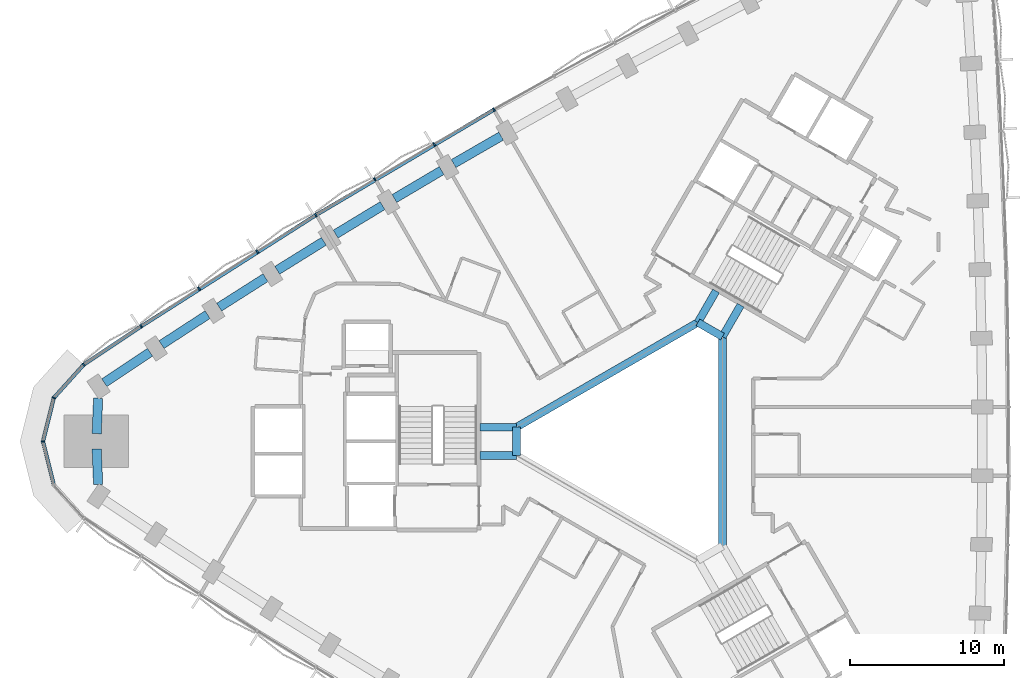
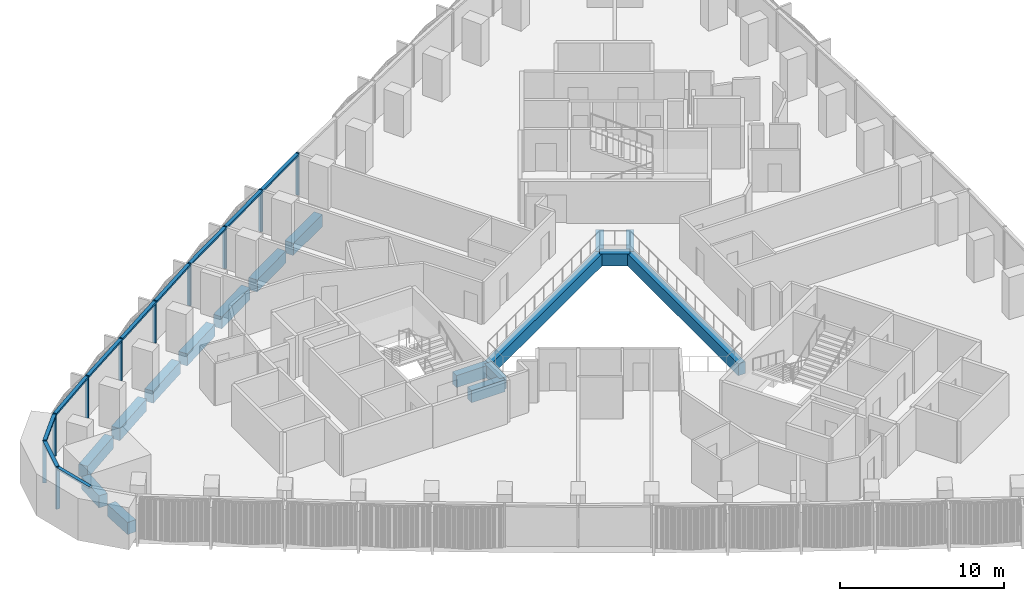
# One storey, part 4 of 15: 17 beams, 16 members, 1 element without a shape of its own.
"""IFC4 building model written with IfcOpenShell, lengths in metres."""

from ifc_helpers import new_model, si_unit, direction, frame, origin, origin_2d, place, context, subcontext, project, spatial, rectangle, extrude, material, material_profile, profile_set, type_object, element, aggregate, save


model = new_model("IFC4")

# Units and contexts
model_context = context("Model", 3, precision=1e-05, world=origin(), true_north=direction((0.0, 1.0)))
body_context = subcontext(model_context, "Body", "Model", "MODEL_VIEW")
ifc_project = project(units=[si_unit("LENGTHUNIT", "METRE"), si_unit("AREAUNIT", "SQUARE_METRE"), si_unit("VOLUMEUNIT", "CUBIC_METRE"), si_unit("PLANEANGLEUNIT", "RADIAN"), si_unit("MASSUNIT", "GRAM", prefix="KILO")], contexts=[model_context])

# Site, building, storey
site_placement = place(None, origin())
site = spatial("IfcSite", under=ifc_project, at=site_placement, CompositionType="ELEMENT")
building_placement = place(site_placement, origin())
building = spatial("IfcBuilding", under=site, at=building_placement, Name="Tamra Quay Hotel Tower", CompositionType="ELEMENT")
storey_placement = place(building_placement, frame((0.0, 0.0, 42.199951171875)))
storey = spatial("IfcBuildingStorey", under=building, at=storey_placement, Name="L08", CompositionType="ELEMENT", Elevation=42.199951171875)

# Beams
ifc_material_1 = material(Name="Concrete M60", Category="concrete")
ifc_material_profile_1 = material_profile(ifc_material_1, rectangle(XDim=0.5, YDim=0.89990234375, at=origin_2d()), Name="ATRIUM EDGE BEAM RC 500x900")
ifc_profile_set_1 = profile_set([ifc_material_profile_1], Name="Concrete M60")
beam_type_1 = type_object("IfcBeamType", Name="ATRIUM EDGE BEAM RC 500x900", PredefinedType="BEAM", material=ifc_profile_set_1)
beam_1_placement = place(storey_placement, frame((5.0, 6.812744140625, -0.925048828125), z_axis=(0.0, -1.0, 0.0), x_axis=(1.0, 0.0, 0.0)))
element("IfcBeam", 1, at=beam_1_placement, inside=storey, type_object=beam_type_1, Name="BM-AB0-L08", PredefinedType="BEAM", context=body_context, shape_type="SweptSolid", body=[
    extrude(rectangle(XDim=0.5, YDim=0.89990234375, at=origin_2d()), origin(), (0.0, 0.0, 1.0), 13.62548828125),
])
beam_2_placement = place(storey_placement, frame((-8.39990234375, -0.923828125, -0.925048828125), z_axis=(0.0, 1.0, 0.0), x_axis=(-1.0, 0.0, 0.0)))
element("IfcBeam", 2, at=beam_2_placement, inside=storey, type_object=beam_type_1, Name="BM-AB3-L08", PredefinedType="BEAM", context=body_context, shape_type="SweptSolid", body=[
    extrude(rectangle(XDim=0.5, YDim=0.89990234375, at=origin_2d()), origin(), (0.0, 0.0, 1.0), 1.84765625),
])
beam_3_placement = place(storey_placement, frame((-8.39990234375, 0.923828125, -0.925048828125), z_axis=(0.866021471679, 0.500006810544, 0.0), x_axis=(-0.500006810544, 0.866021471679, 0.0)))
element("IfcBeam", 3, at=beam_3_placement, inside=storey, type_object=beam_type_1, Name="BM-AB4-L08", PredefinedType="BEAM", context=body_context, shape_type="SweptSolid", body=[
    extrude(rectangle(XDim=0.5, YDim=0.89990234375, at=origin_2d()), origin(), (0.0, 0.0, 1.0), 13.625244140625),
])
beam_4_placement = place(storey_placement, frame((3.39990234375, 7.736572265625, -0.925048828125), z_axis=(0.86602275259, -0.500004591975, 0.0), x_axis=(0.500004591975, 0.86602275259, 0.0)))
element("IfcBeam", 4, at=beam_4_placement, inside=storey, type_object=beam_type_1, Name="BM-AB5-L08", PredefinedType="BEAM", context=body_context, shape_type="SweptSolid", body=[
    extrude(rectangle(XDim=0.5, YDim=0.89990234375, at=origin_2d()), origin(), (0.0, 0.0, 1.0), 1.84765625),
])
ifc_material_profile_2 = material_profile(ifc_material_1, rectangle(XDim=0.5, YDim=0.89990234375, at=origin_2d()), Name="ATRIUM TIE BEAM RC 500x900")
ifc_profile_set_2 = profile_set([ifc_material_profile_2], Name="Concrete M60")
beam_type_2 = type_object("IfcBeamType", Name="ATRIUM TIE BEAM RC 500x900", PredefinedType="BEAM", material=ifc_profile_set_2)
beam_5_placement = place(storey_placement, frame((5.0, 6.812744140625, -0.925048828125), z_axis=(0.500029618126, 0.866008303076, 0.0), x_axis=(-0.866008303076, 0.500029618126, 0.0)))
element("IfcBeam", 5, at=beam_5_placement, inside=storey, type_object=beam_type_2, Name="BM-TIE-0-L08", PredefinedType="BEAM", context=body_context, shape_type="SweptSolid", body=[
    extrude(rectangle(XDim=0.5, YDim=0.89990234375, at=origin_2d()), origin(), (0.0, 0.0, 1.0), 2.362060546875),
])
for number, where, z_axis, x_axis, name in (
    (6, (-8.39990234375, -0.923828125, -0.925048828125), (-1.0, 0.0, 0.0), (0.0, -1.0, 0.0), "BM-TIE-3-L08"),
    (7, (-8.39990234375, 0.923828125, -0.925048828125), (-1.0, 0.0, 0.0), (0.0, -1.0, 0.0), "BM-TIE-4-L08"),
):
    element("IfcBeam", number, at=place(storey_placement, frame(where, z_axis=z_axis, x_axis=x_axis)), inside=storey, type_object=beam_type_2, Name=name, PredefinedType="BEAM", context=body_context, shape_type="SweptSolid", body=[
        extrude(rectangle(XDim=0.5, YDim=0.89990234375, at=origin_2d()), origin(), (0.0, 0.0, 1.0), 2.3623046875),
    ])
beam_6_placement = place(storey_placement, frame((3.39990234375, 7.736572265625, -0.925048828125), z_axis=(0.500029618126, 0.866008303076, 0.0), x_axis=(-0.866008303076, 0.500029618126, 0.0)))
element("IfcBeam", 8, at=beam_6_placement, inside=storey, type_object=beam_type_2, Name="BM-TIE-5-L08", PredefinedType="BEAM", context=body_context, shape_type="SweptSolid", body=[
    extrude(rectangle(XDim=0.5, YDim=0.89990234375, at=origin_2d()), origin(), (0.0, 0.0, 1.0), 2.362060546875),
])

# Curtain wall, members
ifc_material_2 = material(Name="Aluminium 6063 anodised dark grey", Category="aluminium")
curtain_wall_type = type_object("IfcCurtainWallType", Name="CW2 CURTAIN WALL", PredefinedType="NOTDEFINED", material=ifc_material_2)
curtain_wall_placement = place(storey_placement, origin())
curtain_wall = element("IfcCurtainWall", 9, at=curtain_wall_placement, inside=storey, type_object=curtain_wall_type, Name="CW2 north-west face L08", PredefinedType="NOTDEFINED")
ifc_material_profile_3 = material_profile(ifc_material_2, rectangle(XDim=0.239990234375, YDim=0.10009765625, at=origin_2d()), Name="MULLION 100X240")
ifc_profile_set_3 = profile_set([ifc_material_profile_3], Name="Aluminium 6063 anodised dark grey")
member_type_1 = type_object("IfcMemberType", Name="MULLION CW2 Z1", PredefinedType="MULLION", material=ifc_profile_set_3)
member_1_placement = place(storey_placement, frame((-9.865478515625, 21.576171875, 0.0), z_axis=(0.0, 0.0, 1.0), x_axis=(-0.495300312687, 0.868721819832, 0.0)))
member_1 = element("IfcMember", 10, at=member_1_placement, type_object=member_type_1, Name="CW2 mullion L08.NW.7", PredefinedType="MULLION", context=body_context, shape_type="SweptSolid", body=[
    extrude(rectangle(XDim=0.239990234375, YDim=0.10009765625, at=origin_2d()), origin(), (0.0, 0.0, 1.0), 3.125),
])
member_2_placement = place(storey_placement, frame((-13.7529296875, 19.331787109375, 0.0), z_axis=(0.0, 0.0, 1.0), x_axis=(-0.504685008453, 0.863303563205, 0.0)))
member_2 = element("IfcMember", 11, at=member_2_placement, type_object=member_type_1, Name="CW2 mullion L08.NW.8", PredefinedType="MULLION", context=body_context, shape_type="SweptSolid", body=[
    extrude(rectangle(XDim=0.239990234375, YDim=0.10009765625, at=origin_2d()), origin(), (0.0, 0.0, 1.0), 3.125),
])
member_3_placement = place(storey_placement, frame((-17.61572265625, 17.04541015625, 0.0), z_axis=(0.0, 0.0, 1.0), x_axis=(-0.514004526657, 0.857787471683, 0.0)))
member_3 = element("IfcMember", 12, at=member_3_placement, type_object=member_type_1, Name="CW2 mullion L08.NW.9", PredefinedType="MULLION", context=body_context, shape_type="SweptSolid", body=[
    extrude(rectangle(XDim=0.239990234375, YDim=0.10009765625, at=origin_2d()), origin(), (0.0, 0.0, 1.0), 3.125),
])
member_4_placement = place(storey_placement, frame((-21.454345703125, 14.717041015625, 0.0), z_axis=(0.0, 0.0, 1.0), x_axis=(-0.523257144174, 0.852174841843, 0.0)))
member_4 = element("IfcMember", 13, at=member_4_placement, type_object=member_type_1, Name="CW2 mullion L08.NW.10", PredefinedType="MULLION", context=body_context, shape_type="SweptSolid", body=[
    extrude(rectangle(XDim=0.239990234375, YDim=0.10009765625, at=origin_2d()), origin(), (0.0, 0.0, 1.0), 3.125),
])
member_5_placement = place(storey_placement, frame((-25.2666015625, 12.34765625, 0.0), z_axis=(0.0, 0.0, 1.0), x_axis=(-0.532446882669, 0.846463417482, 0.0)))
member_5 = element("IfcMember", 14, at=member_5_placement, type_object=member_type_1, Name="CW2 mullion L08.NW.11", PredefinedType="MULLION", context=body_context, shape_type="SweptSolid", body=[
    extrude(rectangle(XDim=0.239990234375, YDim=0.10009765625, at=origin_2d()), origin(), (0.0, 0.0, 1.0), 3.125),
])
member_6_placement = place(storey_placement, frame((-29.05322265625, 9.93701171875, 0.0), z_axis=(0.0, 0.0, 1.0), x_axis=(-0.541560885498, 0.84066152957, 0.0)))
member_6 = element("IfcMember", 15, at=member_6_placement, type_object=member_type_1, Name="CW2 mullion L08.NW.12", PredefinedType="MULLION", context=body_context, shape_type="SweptSolid", body=[
    extrude(rectangle(XDim=0.239990234375, YDim=0.10009765625, at=origin_2d()), origin(), (0.0, 0.0, 1.0), 3.125),
])
member_7_placement = place(storey_placement, frame((-32.814208984375, 7.4853515625, 0.0), z_axis=(0.0, 0.0, 1.0), x_axis=(-0.550591269595, 0.834774971981, 0.0)))
member_7 = element("IfcMember", 16, at=member_7_placement, type_object=member_type_1, Name="CW2 mullion L08.NW.13", PredefinedType="MULLION", context=body_context, shape_type="SweptSolid", body=[
    extrude(rectangle(XDim=0.239990234375, YDim=0.10009765625, at=origin_2d()), origin(), (0.0, 0.0, 1.0), 3.125),
])
member_8_placement = place(storey_placement, frame((-36.547607421875, 4.993896484375, 0.0), z_axis=(0.0, 0.0, 1.0), x_axis=(-0.654196774513, 0.756324388221, 0.0)))
member_8 = element("IfcMember", 17, at=member_8_placement, type_object=member_type_1, Name="CW2 mullion L08.NW.14", PredefinedType="MULLION", context=body_context, shape_type="SweptSolid", body=[
    extrude(rectangle(XDim=0.239990234375, YDim=0.10009765625, at=origin_2d()), origin(), (0.0, 0.0, 1.0), 3.125),
])
member_9_placement = place(storey_placement, frame((-38.497802734375, 2.828125, 0.0), z_axis=(0.0, 0.0, 1.0), x_axis=(-0.882955345235, 0.469456982396, 0.0)))
member_9 = element("IfcMember", 18, at=member_9_placement, type_object=member_type_1, Name="CW2 mullion L08.NW.15", PredefinedType="MULLION", context=body_context, shape_type="SweptSolid", body=[
    extrude(rectangle(XDim=0.239990234375, YDim=0.10009765625, at=origin_2d()), origin(), (0.0, 0.0, 1.0), 3.125),
])
member_10_placement = place(storey_placement, frame((-39.202880859375, 0.0, 0.0), z_axis=(0.0, 0.0, 1.0), x_axis=(-1.0, 0.0, 0.0)))
member_10 = element("IfcMember", 19, at=member_10_placement, type_object=member_type_1, Name="CW2 mullion L08.NW.16", PredefinedType="MULLION", context=body_context, shape_type="SweptSolid", body=[
    extrude(rectangle(XDim=0.239990234375, YDim=0.10009765625, at=origin_2d()), origin(), (0.0, 0.0, 1.0), 3.125),
])

# Beams
ifc_material_profile_4 = material_profile(ifc_material_1, rectangle(XDim=0.60009765625, YDim=0.89990234375, at=origin_2d()), Name="SPANDREL BEAM RC 600x900")
ifc_profile_set_4 = profile_set([ifc_material_profile_4], Name="Concrete M60")
beam_type_3 = type_object("IfcBeamType", Name="SPANDREL BEAM RC 600x900", PredefinedType="SPANDREL", material=ifc_profile_set_4)
beam_7_placement = place(storey_placement, frame((-9.401123046875, 19.853759765625, -0.925048828125), z_axis=(-0.866017069707, -0.500014434768, 0.0), x_axis=(0.500014434768, -0.866017069707, 0.0)))
element("IfcBeam", 20, at=beam_7_placement, inside=storey, type_object=beam_type_3, Name="BM-SP1-021-L08", PredefinedType="SPANDREL", context=body_context, shape_type="SweptSolid", body=[
    extrude(rectangle(XDim=0.60009765625, YDim=0.89990234375, at=origin_2d()), origin(), (0.0, 0.0, 1.0), 3.57080078125),
])
beam_8_placement = place(storey_placement, frame((-13.270263671875, 17.6142578125, -0.925048828125), z_axis=(-0.860524689034, -0.509408735264, 0.0), x_axis=(0.509408735264, -0.860524689034, 0.0)))
element("IfcBeam", 21, at=beam_8_placement, inside=storey, type_object=beam_type_3, Name="BM-SP1-022-L08", PredefinedType="SPANDREL", context=body_context, shape_type="SweptSolid", body=[
    extrude(rectangle(XDim=0.60009765625, YDim=0.89990234375, at=origin_2d()), origin(), (0.0, 0.0, 1.0), 3.570556640625),
])
beam_9_placement = place(storey_placement, frame((-17.114990234375, 15.3330078125, -0.925048828125), z_axis=(-0.854966252085, -0.518683629775, 0.0), x_axis=(0.518683629775, -0.854966252085, 0.0)))
element("IfcBeam", 22, at=beam_9_placement, inside=storey, type_object=beam_type_3, Name="BM-SP1-023-L08", PredefinedType="SPANDREL", context=body_context, shape_type="SweptSolid", body=[
    extrude(rectangle(XDim=0.60009765625, YDim=0.89990234375, at=origin_2d()), origin(), (0.0, 0.0, 1.0), 3.56982421875),
])
beam_10_placement = place(storey_placement, frame((-20.93408203125, 13.010498046875, -0.925048828125), z_axis=(-0.849320953317, -0.527876802158, 0.0), x_axis=(0.527876802158, -0.849320953317, 0.0)))
element("IfcBeam", 23, at=beam_10_placement, inside=storey, type_object=beam_type_3, Name="BM-SP1-024-L08", PredefinedType="SPANDREL", context=body_context, shape_type="SweptSolid", body=[
    extrude(rectangle(XDim=0.60009765625, YDim=0.89990234375, at=origin_2d()), origin(), (0.0, 0.0, 1.0), 3.570556640625),
])
beam_11_placement = place(storey_placement, frame((-24.728515625, 10.646484375, -0.925048828125), z_axis=(-0.843593906333, -0.53698167678, 0.0), x_axis=(0.53698167678, -0.843593906333, 0.0)))
element("IfcBeam", 24, at=beam_11_placement, inside=storey, type_object=beam_type_3, Name="BM-SP1-025-L08", PredefinedType="SPANDREL", context=body_context, shape_type="SweptSolid", body=[
    extrude(rectangle(XDim=0.60009765625, YDim=0.89990234375, at=origin_2d()), origin(), (0.0, 0.0, 1.0), 3.5703125),
])
beam_12_placement = place(storey_placement, frame((-28.4970703125, 8.24169921875, -0.925048828125), z_axis=(-0.837739819239, -0.546069588296, 0.0), x_axis=(0.546069588296, -0.837739819239, 0.0)))
element("IfcBeam", 25, at=beam_12_placement, inside=storey, type_object=beam_type_3, Name="BM-SP1-026-L08", PredefinedType="SPANDREL", context=body_context, shape_type="SweptSolid", body=[
    extrude(rectangle(XDim=0.60009765625, YDim=0.89990234375, at=origin_2d()), origin(), (0.0, 0.0, 1.0), 3.570068359375),
])
beam_13_placement = place(storey_placement, frame((-32.239013671875, 5.796630859375, -0.925048828125), z_axis=(-0.831818807601, -0.555047269448, 0.0), x_axis=(0.555047269448, -0.831818807601, 0.0)))
element("IfcBeam", 26, at=beam_13_placement, inside=storey, type_object=beam_type_3, Name="BM-SP1-027-L08", PredefinedType="SPANDREL", context=body_context, shape_type="SweptSolid", body=[
    extrude(rectangle(XDim=0.60009765625, YDim=0.89990234375, at=origin_2d()), origin(), (0.0, 0.0, 1.0), 3.57080078125),
])
for number, where, z_axis, x_axis, name in (
    (27, (-35.614501953125, 2.805908203125, -0.925048828125), (-0.040711272802, -0.999170952474, 0.0), (0.999170952474, -0.040711272802, 0.0), "BM-SP1-028-L08"),
    (28, (-35.70849609375, -0.4990234375, -0.925048828125), (0.040711272802, -0.999170952474, 0.0), (0.999170952474, 0.040711272802, 0.0), "BM-SP1-029-L08"),
):
    element("IfcBeam", number, at=place(storey_placement, frame(where, z_axis=z_axis, x_axis=x_axis)), inside=storey, type_object=beam_type_3, Name=name, PredefinedType="SPANDREL", context=body_context, shape_type="SweptSolid", body=[
        extrude(rectangle(XDim=0.60009765625, YDim=0.89990234375, at=origin_2d()), origin(), (0.0, 0.0, 1.0), 2.308837890625),
    ])

# Member
ifc_material_profile_5 = material_profile(ifc_material_2, rectangle(XDim=0.239990234375, YDim=0.139892578125, at=origin_2d()), Name="TRANSOM 240X140")
ifc_profile_set_5 = profile_set([ifc_material_profile_5], Name="Aluminium 6063 anodised dark grey")
member_type_2 = type_object("IfcMemberType", Name="TRANSOM CW2 Z1", PredefinedType="USERDEFINED", material=ifc_profile_set_5)
member_11_placement = place(storey_placement, frame((-9.90869140625, 21.55126953125, 3.054931640625), z_axis=(-0.860560507804, -0.509348223133, 0.0), x_axis=(0.509348223133, -0.860560507804, 0.0)))
member_11 = element("IfcMember", 29, at=member_11_placement, type_object=member_type_2, Name="CW2 transom L08.NW.7", ObjectType="TRANSOM", PredefinedType="USERDEFINED", context=body_context, shape_type="SweptSolid", body=[
    extrude(rectangle(XDim=0.239990234375, YDim=0.139892578125, at=origin_2d()), origin(), (0.0, 0.0, 1.0), 13.36669921875),
])

member_12_placement = place(storey_placement, frame((-21.496826171875, 14.690673828125, 3.054931640625), z_axis=(-0.843574233819, -0.537012580892, 0.0), x_axis=(0.537012580892, -0.843574233819, 0.0)))
member_12 = element("IfcMember", 30, at=member_12_placement, type_object=member_type_2, Name="CW2 transom L08.NW.10", ObjectType="TRANSOM", PredefinedType="USERDEFINED", context=body_context, shape_type="SweptSolid", body=[
    extrude(rectangle(XDim=0.239990234375, YDim=0.139892578125, at=origin_2d()), origin(), (0.0, 0.0, 1.0), 13.366455078125),
])

member_13_placement = place(storey_placement, frame((-32.85595703125, 7.45751953125, 3.054931640625), z_axis=(-0.831801992413, -0.555072468618, 0.0), x_axis=(0.555072468618, -0.831801992413, 0.0)))
member_13 = element("IfcMember", 31, at=member_13_placement, type_object=member_type_2, Name="CW2 transom L08.NW.13", ObjectType="TRANSOM", PredefinedType="USERDEFINED", context=body_context, shape_type="SweptSolid", body=[
    extrude(rectangle(XDim=0.239990234375, YDim=0.139892578125, at=origin_2d()), origin(), (0.0, 0.0, 1.0), 4.38818359375),
])

member_14_placement = place(storey_placement, frame((-36.5810546875, 4.956787109375, 3.054931640625), z_axis=(-0.669142034262, -0.743134535588, 0.0), x_axis=(0.743134535588, -0.669142034262, 0.0)))
member_14 = element("IfcMember", 32, at=member_14_placement, type_object=member_type_2, Name="CW2 transom L08.NW.14", ObjectType="TRANSOM", PredefinedType="USERDEFINED", context=body_context, shape_type="SweptSolid", body=[
    extrude(rectangle(XDim=0.239990234375, YDim=0.139892578125, at=origin_2d()), origin(), (0.0, 0.0, 1.0), 2.814453125),
])

member_15_placement = place(storey_placement, frame((-38.510009765625, 2.779541015625, 3.054931640625), z_axis=(-0.241841612879, -0.970315739479, 0.0), x_axis=(0.970315739479, -0.241841612879, 0.0)))
member_15 = element("IfcMember", 33, at=member_15_placement, type_object=member_type_2, Name="CW2 transom L08.NW.15", ObjectType="TRANSOM", PredefinedType="USERDEFINED", context=body_context, shape_type="SweptSolid", body=[
    extrude(rectangle(XDim=0.239990234375, YDim=0.139892578125, at=origin_2d()), origin(), (0.0, 0.0, 1.0), 2.814453125),
])

member_16_placement = place(storey_placement, frame((-39.190673828125, -0.048583984375, 3.054931640625), z_axis=(0.241841612879, -0.970315739479, 0.0), x_axis=(0.970315739479, 0.241841612879, 0.0)))
member_16 = element("IfcMember", 34, at=member_16_placement, type_object=member_type_2, Name="CW2 transom L08.NW.16", ObjectType="TRANSOM", PredefinedType="USERDEFINED", context=body_context, shape_type="SweptSolid", body=[
    extrude(rectangle(XDim=0.239990234375, YDim=0.139892578125, at=origin_2d()), origin(), (0.0, 0.0, 1.0), 2.814453125),
])

aggregate(curtain_wall, [member_1, member_11, member_2, member_3, member_4, member_12, member_5, member_6, member_7, member_13, member_8, member_14, member_9, member_15, member_10, member_16])

save(model, "model.ifc")
